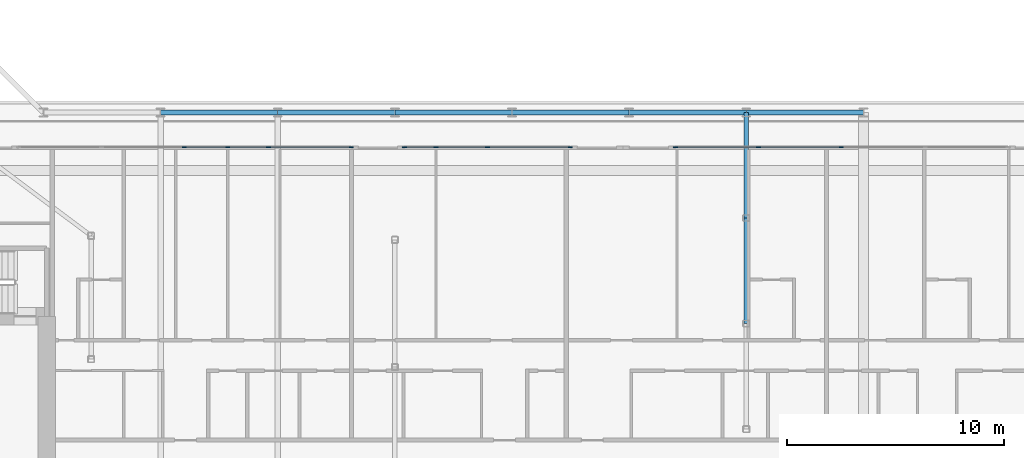
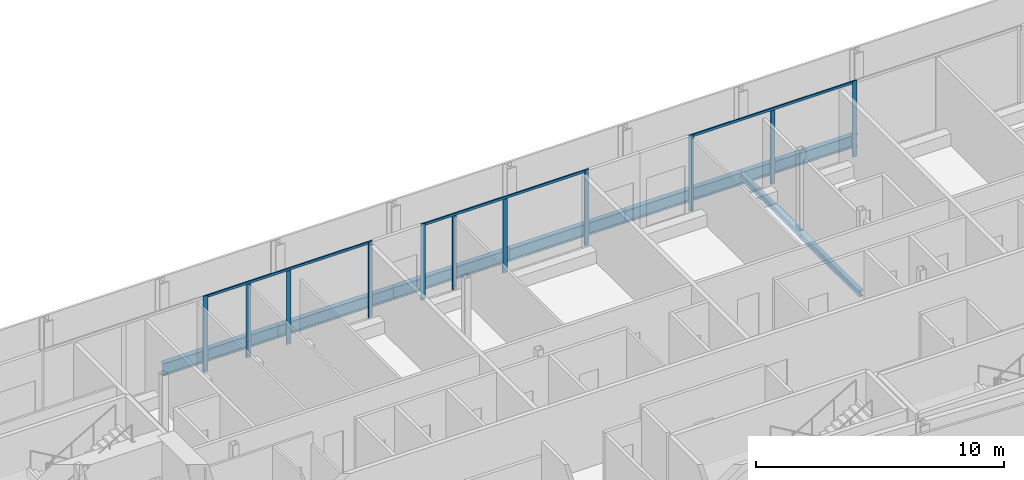
# One storey, part 8 of 30: 14 members, 8 beams, 4 elements without a shape of their own.
"""IFC4 building model written with IfcOpenShell, lengths in metres."""

from ifc_helpers import new_model, si_unit, direction, frame, origin, origin_2d, place, context, subcontext, project, spatial, rectangle, i_section, extrude, material, layer, layer_set, material_profile, profile_set, type_object, element, aggregate, save


model = new_model("IFC4")

# Units and contexts
model_context = context("Model", 3, precision=1e-05, world=origin(), true_north=direction((0.0, 1.0)))
body_context = subcontext(model_context, "Body", "Model", "MODEL_VIEW")
ifc_project = project(units=[si_unit("LENGTHUNIT", "METRE"), si_unit("AREAUNIT", "SQUARE_METRE"), si_unit("VOLUMEUNIT", "CUBIC_METRE"), si_unit("PLANEANGLEUNIT", "RADIAN"), si_unit("MASSUNIT", "GRAM", prefix="KILO")], contexts=[model_context])

# Site, building, storey
site_placement = place(None, origin())
site = spatial("IfcSite", under=ifc_project, at=site_placement, CompositionType="ELEMENT")
building_placement = place(site_placement, origin())
building = spatial("IfcBuilding", under=site, at=building_placement, Name="Kheshtan School and Residences Tower", CompositionType="ELEMENT")
storey_placement = place(building_placement, frame((0.0, 0.0, 199.39990234375)))
storey = spatial("IfcBuildingStorey", under=building, at=storey_placement, Name="L47", CompositionType="ELEMENT", Elevation=199.39990234375)

# Beams
ifc_material_1 = material(Name="Steel ASTM A992 Grade 50", Category="steel")
ifc_material_profile_1 = material_profile(ifc_material_1, i_section(OverallWidth=0.202880859375, OverallDepth=0.302978515625, WebThickness=0.007568359375, FlangeThickness=0.01318359375, FilletRadius=0.009033203125, at=origin_2d()), Name="W310x60")
ifc_profile_set_1 = profile_set([ifc_material_profile_1], Name="Steel ASTM A992 Grade 50")
beam_type_1 = type_object("IfcBeamType", Name="Beam FB1 W310x60 ASTM A992 Grade 50", PredefinedType="BEAM", material=ifc_profile_set_1)
for number, where, z_axis, x_axis, name in (
    (1, (85.39990234375, 45.60009765625, -0.301513671875), (0.0, -1.0, 0.0), (1.0, 0.0, 0.0), "Floor beam C067"),
    (2, (85.39990234375, 40.735107421875, -0.301513671875), (0.0, -1.0, 0.0), (1.0, 0.0, 0.0), "Floor beam IC"),
):
    element("IfcBeam", number, at=place(storey_placement, frame(where, z_axis=z_axis, x_axis=x_axis)), inside=storey, type_object=beam_type_1, Name=name, PredefinedType="BEAM", context=body_context, shape_type="SweptSolid", body=[
        extrude(i_section(OverallWidth=0.202880859375, OverallDepth=0.302978515625, WebThickness=0.007568359375, FlangeThickness=0.01318359375, FilletRadius=0.009033203125, at=origin_2d()), origin(), (0.0, 0.0, 1.0), 4.864990234375),
    ])
ifc_material_profile_2 = material_profile(ifc_material_1, i_section(OverallWidth=0.22802734375, OverallDepth=0.60302734375, WebThickness=0.010498046875, FlangeThickness=0.014892578125, FilletRadius=0.013427734375, at=origin_2d()), Name="W610x101")
ifc_profile_set_2 = profile_set([ifc_material_profile_2], Name="Steel ASTM A992 Grade 50")
beam_type_2 = type_object("IfcBeamType", Name="Beam SP2 W610x101 ASTM A992 Grade 50", PredefinedType="BEAM", material=ifc_profile_set_2)
beam_1_placement = place(storey_placement, frame((58.39990234375, 45.60009765625, -0.451416015625), z_axis=(1.0, 0.0, 0.0), x_axis=(0.0, 1.0, 0.0)))
element("IfcBeam", 3, at=beam_1_placement, inside=storey, type_object=beam_type_2, Name="Spandrel beam C062-C063", PredefinedType="BEAM", context=body_context, shape_type="SweptSolid", body=[
    extrude(i_section(OverallWidth=0.22802734375, OverallDepth=0.60302734375, WebThickness=0.010498046875, FlangeThickness=0.014892578125, FilletRadius=0.013427734375, at=origin_2d()), origin(), (0.0, 0.0, 1.0), 5.400146484375),
])
beam_2_placement = place(storey_placement, frame((63.800048828125, 45.60009765625, -0.451416015625), z_axis=(1.0, 0.0, 0.0), x_axis=(0.0, 1.0, 0.0)))
element("IfcBeam", 4, at=beam_2_placement, inside=storey, type_object=beam_type_2, Name="Spandrel beam C063-C064", PredefinedType="BEAM", context=body_context, shape_type="SweptSolid", body=[
    extrude(i_section(OverallWidth=0.22802734375, OverallDepth=0.60302734375, WebThickness=0.010498046875, FlangeThickness=0.014892578125, FilletRadius=0.013427734375, at=origin_2d()), origin(), (0.0, 0.0, 1.0), 5.39990234375),
])
beam_3_placement = place(storey_placement, frame((69.199951171875, 45.60009765625, -0.451416015625), z_axis=(1.0, 0.0, 0.0), x_axis=(0.0, 1.0, 0.0)))
element("IfcBeam", 5, at=beam_3_placement, inside=storey, type_object=beam_type_2, Name="Spandrel beam C064-C065", PredefinedType="BEAM", context=body_context, shape_type="SweptSolid", body=[
    extrude(i_section(OverallWidth=0.22802734375, OverallDepth=0.60302734375, WebThickness=0.010498046875, FlangeThickness=0.014892578125, FilletRadius=0.013427734375, at=origin_2d()), origin(), (0.0, 0.0, 1.0), 5.400146484375),
])
for number, where, z_axis, x_axis, name in (
    (6, (74.60009765625, 45.60009765625, -0.451416015625), (1.0, 0.0, 0.0), (0.0, 1.0, 0.0), "Spandrel beam C065-C066"),
    (7, (80.0, 45.60009765625, -0.451416015625), (1.0, 0.0, 0.0), (0.0, 1.0, 0.0), "Spandrel beam C066-C067"),
):
    element("IfcBeam", number, at=place(storey_placement, frame(where, z_axis=z_axis, x_axis=x_axis)), inside=storey, type_object=beam_type_2, Name=name, PredefinedType="BEAM", context=body_context, shape_type="SweptSolid", body=[
        extrude(i_section(OverallWidth=0.22802734375, OverallDepth=0.60302734375, WebThickness=0.010498046875, FlangeThickness=0.014892578125, FilletRadius=0.013427734375, at=origin_2d()), origin(), (0.0, 0.0, 1.0), 5.39990234375),
    ])
beam_4_placement = place(storey_placement, frame((85.39990234375, 45.60009765625, -0.451416015625), z_axis=(1.0, 0.0, 0.0), x_axis=(0.0, 1.0, 0.0)))
element("IfcBeam", 8, at=beam_4_placement, inside=storey, type_object=beam_type_2, Name="Spandrel beam C067-C068", PredefinedType="BEAM", context=body_context, shape_type="SweptSolid", body=[
    extrude(i_section(OverallWidth=0.22802734375, OverallDepth=0.60302734375, WebThickness=0.010498046875, FlangeThickness=0.014892578125, FilletRadius=0.013427734375, at=origin_2d()), origin(), (0.0, 0.0, 1.0), 5.400146484375),
])

# Curtain wall, member
ifc_material_2 = material(Name="Clear low-e glass in thermally broken aluminium frame", Category="aluminium")
ifc_layer = layer(ifc_material_2, 0.199951171875)
ifc_layer_set = layer_set([ifc_layer], Name="Curtain wall CW-L")
curtain_wall_type = type_object("IfcCurtainWallType", Name="Curtain wall CW-L", PredefinedType="NOTDEFINED", material=ifc_layer_set)
curtain_wall_1_placement = place(storey_placement, origin())
curtain_wall_1 = element("IfcCurtainWall", 9, at=curtain_wall_1_placement, inside=storey, type_object=curtain_wall_type, Name="Curtain wall CWL12j", PredefinedType="NOTDEFINED")
ifc_material_3 = material(Name="Thermally broken aluminium, dark bronze anodised", Category="aluminium")
ifc_material_profile_3 = material_profile(ifc_material_3, rectangle(XDim=0.06005859375, YDim=0.199951171875, at=origin_2d()), Name="CW-L mullion 60x200")
ifc_profile_set_3 = profile_set([ifc_material_profile_3], Name="Thermally broken aluminium, dark bronze anodised")
member_type_1 = type_object("IfcMemberType", Name="CW-L mullion 60x200", PredefinedType="MULLION", material=ifc_profile_set_3)
member_1_placement = place(storey_placement, frame((59.493896484375, 44.0, 0.0), z_axis=(0.0, 0.0, 1.0), x_axis=(0.0, 1.0, 0.0)))
member_1 = element("IfcMember", 10, at=member_1_placement, type_object=member_type_1, Name="CWL12j mullion 3", PredefinedType="MULLION", context=body_context, shape_type="SweptSolid", body=[
    extrude(rectangle(XDim=0.06005859375, YDim=0.199951171875, at=origin_2d()), origin(), (0.0, 0.0, 1.0), 3.75),
])
aggregate(curtain_wall_1, [member_1])

# Curtain wall, members
curtain_wall_2_placement = place(storey_placement, origin())
curtain_wall_2 = element("IfcCurtainWall", 11, at=curtain_wall_2_placement, inside=storey, type_object=curtain_wall_type, Name="Curtain wall CWL12k", PredefinedType="NOTDEFINED")
member_2_placement = place(storey_placement, frame((61.5, 44.0, 0.0), z_axis=(0.0, 0.0, 1.0), x_axis=(0.0, 1.0, 0.0)))
member_2 = element("IfcMember", 12, at=member_2_placement, type_object=member_type_1, Name="CWL12k mullion 2", PredefinedType="MULLION", context=body_context, shape_type="SweptSolid", body=[
    extrude(rectangle(XDim=0.06005859375, YDim=0.199951171875, at=origin_2d()), origin(), (0.0, 0.0, 1.0), 3.630126953125),
])
member_3_placement = place(storey_placement, frame((63.37109375, 44.0, 0.0), z_axis=(0.0, 0.0, 1.0), x_axis=(0.0, 1.0, 0.0)))
member_3 = element("IfcMember", 13, at=member_3_placement, type_object=member_type_1, Name="CWL12k mullion 3", PredefinedType="MULLION", context=body_context, shape_type="SweptSolid", body=[
    extrude(rectangle(XDim=0.06005859375, YDim=0.199951171875, at=origin_2d()), origin(), (0.0, 0.0, 1.0), 3.630126953125),
])
member_4_placement = place(storey_placement, frame((67.18798828125, 44.0, 0.0), z_axis=(0.0, 0.0, 1.0), x_axis=(0.0, 1.0, 0.0)))
member_4 = element("IfcMember", 14, at=member_4_placement, type_object=member_type_1, Name="CWL12k mullion 4", PredefinedType="MULLION", context=body_context, shape_type="SweptSolid", body=[
    extrude(rectangle(XDim=0.06005859375, YDim=0.199951171875, at=origin_2d()), origin(), (0.0, 0.0, 1.0), 3.75),
])

curtain_wall_3_placement = place(storey_placement, origin())
curtain_wall_3 = element("IfcCurtainWall", 15, at=curtain_wall_3_placement, inside=storey, type_object=curtain_wall_type, Name="Curtain wall CWL12k", PredefinedType="NOTDEFINED")
member_5_placement = place(storey_placement, frame((69.64794921875, 44.0, 0.0), z_axis=(0.0, 0.0, 1.0), x_axis=(0.0, 1.0, 0.0)))
member_5 = element("IfcMember", 16, at=member_5_placement, type_object=member_type_1, Name="CWL12k mullion 1", PredefinedType="MULLION", context=body_context, shape_type="SweptSolid", body=[
    extrude(rectangle(XDim=0.06005859375, YDim=0.199951171875, at=origin_2d()), origin(), (0.0, 0.0, 1.0), 3.75),
])
member_6_placement = place(storey_placement, frame((71.10009765625, 44.0, 0.0), z_axis=(0.0, 0.0, 1.0), x_axis=(0.0, 1.0, 0.0)))
member_6 = element("IfcMember", 17, at=member_6_placement, type_object=member_type_1, Name="CWL12k mullion 2", PredefinedType="MULLION", context=body_context, shape_type="SweptSolid", body=[
    extrude(rectangle(XDim=0.06005859375, YDim=0.199951171875, at=origin_2d()), origin(), (0.0, 0.0, 1.0), 3.630126953125),
])
member_7_placement = place(storey_placement, frame((73.465087890625, 44.0, 0.0), z_axis=(0.0, 0.0, 1.0), x_axis=(0.0, 1.0, 0.0)))
member_7 = element("IfcMember", 18, at=member_7_placement, type_object=member_type_1, Name="CWL12k mullion 3", PredefinedType="MULLION", context=body_context, shape_type="SweptSolid", body=[
    extrude(rectangle(XDim=0.06005859375, YDim=0.199951171875, at=origin_2d()), origin(), (0.0, 0.0, 1.0), 3.630126953125),
])
member_8_placement = place(storey_placement, frame((77.281982421875, 44.0, 0.0), z_axis=(0.0, 0.0, 1.0), x_axis=(0.0, 1.0, 0.0)))
member_8 = element("IfcMember", 19, at=member_8_placement, type_object=member_type_1, Name="CWL12k mullion 4", PredefinedType="MULLION", context=body_context, shape_type="SweptSolid", body=[
    extrude(rectangle(XDim=0.06005859375, YDim=0.199951171875, at=origin_2d()), origin(), (0.0, 0.0, 1.0), 3.75),
])

curtain_wall_4_placement = place(storey_placement, origin())
curtain_wall_4 = element("IfcCurtainWall", 20, at=curtain_wall_4_placement, inside=storey, type_object=curtain_wall_type, Name="Curtain wall CWL12j", PredefinedType="NOTDEFINED")
member_9_placement = place(storey_placement, frame((82.14208984375, 44.0, 0.0), z_axis=(0.0, 0.0, 1.0), x_axis=(0.0, 1.0, 0.0)))
member_9 = element("IfcMember", 21, at=member_9_placement, type_object=member_type_1, Name="CWL12j mullion 1", PredefinedType="MULLION", context=body_context, shape_type="SweptSolid", body=[
    extrude(rectangle(XDim=0.06005859375, YDim=0.199951171875, at=origin_2d()), origin(), (0.0, 0.0, 1.0), 3.75),
])
member_10_placement = place(storey_placement, frame((85.958984375, 44.0, 0.0), z_axis=(0.0, 0.0, 1.0), x_axis=(0.0, 1.0, 0.0)))
member_10 = element("IfcMember", 22, at=member_10_placement, type_object=member_type_1, Name="CWL12j mullion 2", PredefinedType="MULLION", context=body_context, shape_type="SweptSolid", body=[
    extrude(rectangle(XDim=0.06005859375, YDim=0.199951171875, at=origin_2d()), origin(), (0.0, 0.0, 1.0), 3.630126953125),
])
member_11_placement = place(storey_placement, frame((89.77587890625, 44.0, 0.0), z_axis=(0.0, 0.0, 1.0), x_axis=(0.0, 1.0, 0.0)))
member_11 = element("IfcMember", 23, at=member_11_placement, type_object=member_type_1, Name="CWL12j mullion 3", PredefinedType="MULLION", context=body_context, shape_type="SweptSolid", body=[
    extrude(rectangle(XDim=0.06005859375, YDim=0.199951171875, at=origin_2d()), origin(), (0.0, 0.0, 1.0), 3.75),
])

# Member
ifc_material_profile_4 = material_profile(ifc_material_3, rectangle(XDim=0.06005859375, YDim=0.1201171875, at=origin_2d()), Name="CW-L transom 60x120")
ifc_profile_set_4 = profile_set([ifc_material_profile_4], Name="Thermally broken aluminium, dark bronze anodised")
member_type_2 = type_object("IfcMemberType", Name="CW-L transom 60x120", PredefinedType="USERDEFINED", material=ifc_profile_set_4)
member_12_placement = place(storey_placement, frame((59.52392578125, 44.0, 3.690185546875), z_axis=(1.0, 0.0, 0.0), x_axis=(0.0, 1.0, 0.0)))
member_12 = element("IfcMember", 24, at=member_12_placement, type_object=member_type_2, Name="CWL12k transom 1", ObjectType="TRANSOM", PredefinedType="USERDEFINED", context=body_context, shape_type="SweptSolid", body=[
    extrude(rectangle(XDim=0.06005859375, YDim=0.1201171875, at=origin_2d()), origin(), (0.0, 0.0, 1.0), 7.634033203125),
])

aggregate(curtain_wall_2, [member_2, member_3, member_4, member_12])

member_13_placement = place(storey_placement, frame((69.677978515625, 44.0, 3.690185546875), z_axis=(1.0, 0.0, 0.0), x_axis=(0.0, 1.0, 0.0)))
member_13 = element("IfcMember", 25, at=member_13_placement, type_object=member_type_2, Name="CWL12k transom 1", ObjectType="TRANSOM", PredefinedType="USERDEFINED", context=body_context, shape_type="SweptSolid", body=[
    extrude(rectangle(XDim=0.06005859375, YDim=0.1201171875, at=origin_2d()), origin(), (0.0, 0.0, 1.0), 7.573974609375),
])

aggregate(curtain_wall_3, [member_5, member_6, member_7, member_8, member_13])

member_14_placement = place(storey_placement, frame((82.172119140625, 44.0, 3.690185546875), z_axis=(1.0, 0.0, 0.0), x_axis=(0.0, 1.0, 0.0)))
member_14 = element("IfcMember", 26, at=member_14_placement, type_object=member_type_2, Name="CWL12j transom 1", ObjectType="TRANSOM", PredefinedType="USERDEFINED", context=body_context, shape_type="SweptSolid", body=[
    extrude(rectangle(XDim=0.06005859375, YDim=0.1201171875, at=origin_2d()), origin(), (0.0, 0.0, 1.0), 7.573974609375),
])

aggregate(curtain_wall_4, [member_9, member_10, member_11, member_14])

save(model, "model.ifc")
